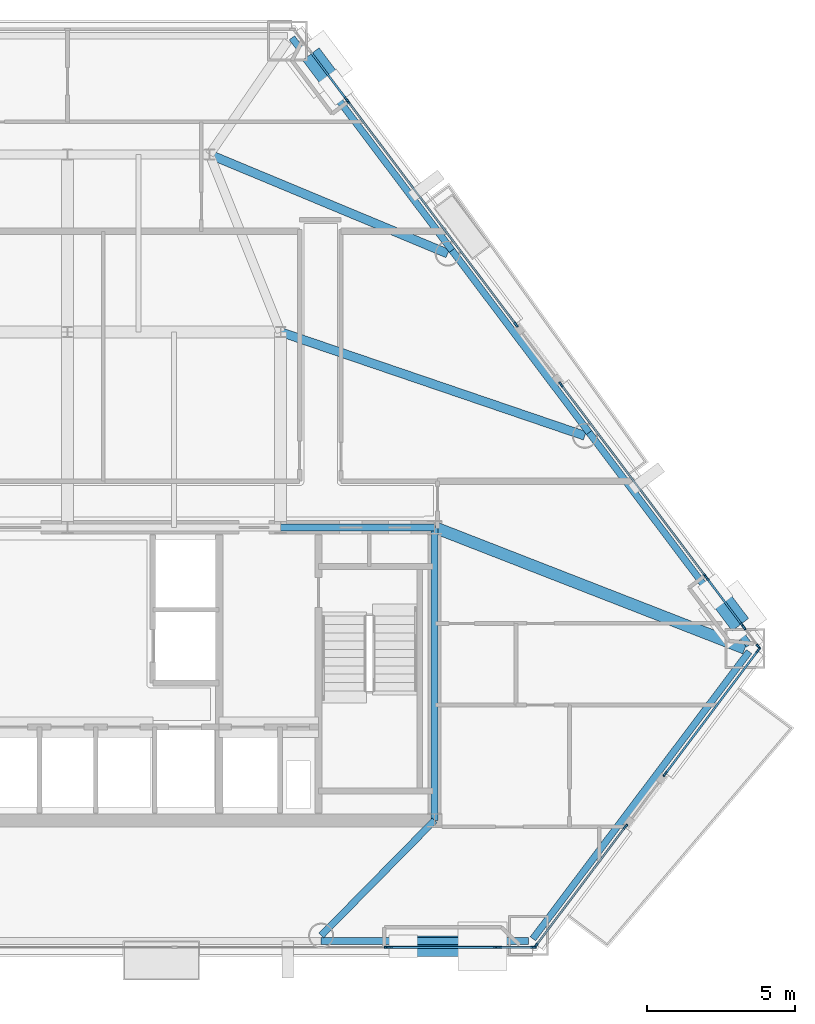
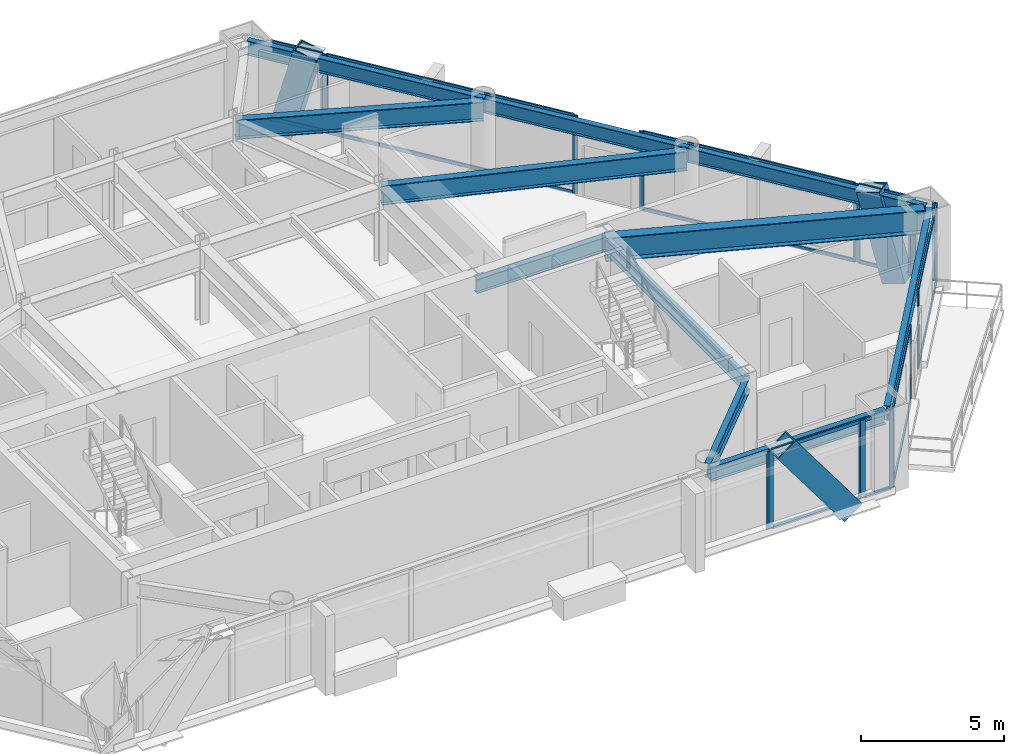
# One storey, part 4 of 14: 37 members, 11 beams, 10 elements without a shape of their own.
"""IFC4 building model written with IfcOpenShell, lengths in metres."""

from ifc_helpers import new_model, si_unit, direction, frame, origin, origin_2d, place, context, subcontext, project, spatial, rectangle, hollow_rectangle, i_section, extrude, material, layer, layer_set, material_profile, profile_set, type_object, element, aggregate, save


model = new_model("IFC4")

# Units and contexts
model_context = context("Model", 3, precision=1e-05, world=origin(), true_north=direction((0.0, 1.0)))
body_context = subcontext(model_context, "Body", "Model", "MODEL_VIEW")
ifc_project = project(units=[si_unit("LENGTHUNIT", "METRE"), si_unit("AREAUNIT", "SQUARE_METRE"), si_unit("VOLUMEUNIT", "CUBIC_METRE"), si_unit("PLANEANGLEUNIT", "RADIAN"), si_unit("MASSUNIT", "GRAM", prefix="KILO")], contexts=[model_context])

# Site, building, storey
site_placement = place(None, origin())
site = spatial("IfcSite", under=ifc_project, at=site_placement, CompositionType="ELEMENT")
building_placement = place(site_placement, origin())
building = spatial("IfcBuilding", under=site, at=building_placement, Name="Talgorran Terracotta Tower", CompositionType="ELEMENT")
storey_placement = place(building_placement, frame((0.0, 0.0, 56.699951171875)))
storey = spatial("IfcBuildingStorey", under=building, at=storey_placement, Name="L14", CompositionType="ELEMENT", Elevation=56.699951171875)

# Beams
ifc_material_1 = material(Name="Steel Grade 350 (350L0)", Category="steel")
ifc_material_profile_1 = material_profile(ifc_material_1, i_section(OverallWidth=0.39990234375, OverallDepth=1.0, WebThickness=0.01611328125, FlangeThickness=0.031005859375, at=origin_2d()), Name="1000WB296")
ifc_profile_set_1 = profile_set([ifc_material_profile_1], Name="Steel Grade 350 (350L0)")
beam_type_1 = type_object("IfcBeamType", Name="BM_1000WB296", PredefinedType="BEAM", material=ifc_profile_set_1)
beam_1_placement = place(storey_placement, frame((12.39990234375, -4.199951171875, 2.820068359375), z_axis=(0.931733259181, -0.363143406571, 0.0), x_axis=(0.363143406571, 0.931733259181, 0.0)))
element("IfcBeam", 1, at=beam_1_placement, inside=storey, type_object=beam_type_1, Name="L14 Floor Girder G18", PredefinedType="BEAM", context=body_context, shape_type="SweptSolid", body=[
    extrude(i_section(OverallWidth=0.39990234375, OverallDepth=1.0, WebThickness=0.01611328125, FlangeThickness=0.031005859375, at=origin_2d()), origin(), (0.0, 0.0, 1.0), 11.253662109375),
])
ifc_material_2 = material(Name="Steel S355 (300PLUS)", Category="steel")
ifc_material_profile_2 = material_profile(ifc_material_2, i_section(OverallWidth=0.300048828125, OverallDepth=0.81591796875, WebThickness=0.013916015625, FlangeThickness=0.028076171875, at=origin_2d()), Name="800WB192")
ifc_profile_set_2 = profile_set([ifc_material_profile_2], Name="Steel S355 (300PLUS)")
beam_type_2 = type_object("IfcBeamType", Name="BM_800WB192", PredefinedType="BEAM", material=ifc_profile_set_2)
beam_2_placement = place(storey_placement, frame((7.199951171875, 2.39990234375, 2.912109375), z_axis=(0.94650066869, -0.322701850274, 0.0), x_axis=(0.322701850274, 0.94650066869, 0.0)))
element("IfcBeam", 2, at=beam_2_placement, inside=storey, type_object=beam_type_2, Name="L14 Floor Girder G07", PredefinedType="BEAM", context=body_context, shape_type="SweptSolid", body=[
    extrude(i_section(OverallWidth=0.300048828125, OverallDepth=0.81591796875, WebThickness=0.013916015625, FlangeThickness=0.028076171875, at=origin_2d()), origin(), (0.0, 0.0, 1.0), 10.859619140625),
])
beam_3_placement = place(storey_placement, frame((4.800048828125, 8.39990234375, 2.912109375), z_axis=(0.923207843364, -0.384301025177, 0.0), x_axis=(0.384301025177, 0.923207843364, 0.0)))
element("IfcBeam", 3, at=beam_3_placement, inside=storey, type_object=beam_type_2, Name="L14 Floor Girder G14", PredefinedType="BEAM", context=body_context, shape_type="SweptSolid", body=[
    extrude(i_section(OverallWidth=0.300048828125, OverallDepth=0.81591796875, WebThickness=0.013916015625, FlangeThickness=0.028076171875, at=origin_2d()), origin(), (0.0, 0.0, 1.0), 8.713623046875),
])
ifc_material_profile_3 = material_profile(ifc_material_2, i_section(OverallWidth=0.22900390625, OverallDepth=0.611572265625, WebThickness=0.011962890625, FlangeThickness=0.01953125, at=origin_2d()), Name="610UB125")
ifc_profile_set_3 = profile_set([ifc_material_profile_3], Name="Steel S355 (300PLUS)")
beam_type_3 = type_object("IfcBeamType", Name="BM_SP_610UB125", PredefinedType="SPANDREL", material=ifc_profile_set_3)
beam_4_placement = place(storey_placement, frame((8.56884765625, -18.171142578125, 3.01416015625), z_axis=(1.0, 0.0, 0.0), x_axis=(0.0, 1.0, 0.0)))
element("IfcBeam", 4, at=beam_4_placement, inside=storey, type_object=beam_type_3, Name="L14 Perimeter Spandrel Beam FC2-MC3", PredefinedType="SPANDREL", context=body_context, shape_type="SweptSolid", body=[
    extrude(i_section(OverallWidth=0.22900390625, OverallDepth=0.611572265625, WebThickness=0.011962890625, FlangeThickness=0.01953125, at=origin_2d()), origin(), (0.0, 0.0, 1.0), 7.0107421875),
])
beam_5_placement = place(storey_placement, frame((15.723388671875, -18.099365234375, 3.01416015625), z_axis=(0.601442935973, 0.798915761997, 0.0), x_axis=(-0.798915761997, 0.601442935973, 0.0)))
element("IfcBeam", 5, at=beam_5_placement, inside=storey, type_object=beam_type_3, Name="L14 Perimeter Spandrel Beam MC3-MC4", PredefinedType="SPANDREL", context=body_context, shape_type="SweptSolid", body=[
    extrude(i_section(OverallWidth=0.22900390625, OverallDepth=0.611572265625, WebThickness=0.011962890625, FlangeThickness=0.01953125, at=origin_2d()), origin(), (0.0, 0.0, 1.0), 12.14697265625),
])
beam_6_placement = place(storey_placement, frame((23.029052734375, -8.17822265625, 3.01416015625), z_axis=(-0.601446008666, 0.798913448791, 0.0), x_axis=(-0.798913448791, -0.601446008666, 0.0)))
element("IfcBeam", 6, at=beam_6_placement, inside=storey, type_object=beam_type_3, Name="L14 Perimeter Spandrel Beam MC4-FC3", PredefinedType="SPANDREL", context=body_context, shape_type="SweptSolid", body=[
    extrude(i_section(OverallWidth=0.22900390625, OverallDepth=0.611572265625, WebThickness=0.011962890625, FlangeThickness=0.01953125, at=origin_2d()), origin(), (0.0, 0.0, 1.0), 8.989501953125),
])
beam_7_placement = place(storey_placement, frame((17.622314453125, -0.996337890625, 3.01416015625), z_axis=(-0.601413481794, 0.798937934959, 0.0), x_axis=(-0.798937934959, -0.601413481794, 0.0)))
element("IfcBeam", 7, at=beam_7_placement, inside=storey, type_object=beam_type_3, Name="L14 Perimeter Spandrel Beam FC3-FC4", PredefinedType="SPANDREL", context=body_context, shape_type="SweptSolid", body=[
    extrude(i_section(OverallWidth=0.22900390625, OverallDepth=0.611572265625, WebThickness=0.011962890625, FlangeThickness=0.01953125, at=origin_2d()), origin(), (0.0, 0.0, 1.0), 7.705322265625),
])
beam_8_placement = place(storey_placement, frame((12.98828125, 5.15966796875, 3.01416015625), z_axis=(-0.601446008666, 0.798913448791, 0.0), x_axis=(-0.798913448791, -0.601446008666, 0.0)))
element("IfcBeam", 8, at=beam_8_placement, inside=storey, type_object=beam_type_3, Name="L14 Perimeter Spandrel Beam FC4-MC5", PredefinedType="SPANDREL", context=body_context, shape_type="SweptSolid", body=[
    extrude(i_section(OverallWidth=0.22900390625, OverallDepth=0.611572265625, WebThickness=0.011962890625, FlangeThickness=0.01953125, at=origin_2d()), origin(), (0.0, 0.0, 1.0), 8.989501953125),
])
beam_9_placement = place(storey_placement, frame((12.39990234375, -14.10009765625, 3.01416015625), z_axis=(-0.701586091596, -0.712584700985, 0.0), x_axis=(0.712584700985, -0.701586091596, 0.0)))
element("IfcBeam", 9, at=beam_9_placement, inside=storey, type_object=beam_type_3, Name="L14 South-East Core Tie Beam", PredefinedType="SPANDREL", context=body_context, shape_type="SweptSolid", body=[
    extrude(i_section(OverallWidth=0.22900390625, OverallDepth=0.611572265625, WebThickness=0.011962890625, FlangeThickness=0.01953125, at=origin_2d()), origin(), (0.0, 0.0, 1.0), 5.46044921875),
])
beam_10_placement = place(storey_placement, frame((12.39990234375, -14.10009765625, 3.01416015625), z_axis=(0.0, 1.0, 0.0), x_axis=(-1.0, 0.0, 0.0)))
element("IfcBeam", 10, at=beam_10_placement, inside=storey, type_object=beam_type_3, Name="L14 Core Frame Beam CFE", PredefinedType="SPANDREL", context=body_context, shape_type="SweptSolid", body=[
    extrude(i_section(OverallWidth=0.22900390625, OverallDepth=0.611572265625, WebThickness=0.011962890625, FlangeThickness=0.01953125, at=origin_2d()), origin(), (0.0, 0.0, 1.0), 9.900146484375),
])
beam_11_placement = place(storey_placement, frame((7.199951171875, -4.199951171875, 3.01416015625), z_axis=(1.0, 0.0, 0.0), x_axis=(0.0, 1.0, 0.0)))
element("IfcBeam", 11, at=beam_11_placement, inside=storey, type_object=beam_type_3, Name="L14 Core Frame Beam CFN4", PredefinedType="SPANDREL", context=body_context, shape_type="SweptSolid", body=[
    extrude(i_section(OverallWidth=0.22900390625, OverallDepth=0.611572265625, WebThickness=0.011962890625, FlangeThickness=0.01953125, at=origin_2d()), origin(), (0.0, 0.0, 1.0), 5.199951171875),
])

# Members
ifc_material_profile_4 = material_profile(ifc_material_1, hollow_rectangle(XDim=0.699951171875, YDim=0.89990234375, WallThickness=0.050048828125, at=origin_2d()), Name="WBOX900X700X50")
ifc_profile_set_4 = profile_set([ifc_material_profile_4], Name="Steel Grade 350 (350L0)")
member_type_1 = type_object("IfcMemberType", Name="MB_MEGA_900", PredefinedType="BRACE", material=ifc_profile_set_4)
member_1_placement = place(storey_placement, frame((14.025634765625, -18.35107421875, -0.27001953125), z_axis=(-0.595397527069, 0.0, 0.803431257022), x_axis=(0.0, -1.0, 0.0)))
element("IfcMember", 12, at=member_1_placement, inside=storey, type_object=member_type_1, Name="L14 Exterior Face Mega-Brace MB-1 (SEF)", PredefinedType="BRACE", context=body_context, shape_type="SweptSolid", body=[
    extrude(hollow_rectangle(XDim=0.699951171875, YDim=0.89990234375, WallThickness=0.050048828125, at=origin_2d()), origin(), (0.0, 0.0, 1.0), 4.49951171875),
])
for number, where, z_axis, x_axis, name in (
    (13, (22.471435546875, -7.13818359375, -0.27001953125), (-0.155404916961, 0.206488901, 0.966028801614), (-0.79899919389, -0.601332094738, 0.0), "L14 Exterior Face Mega-Brace MB-1 (NEL)"),
    (14, (8.481689453125, 11.44482421875, -0.27001953125), (0.15547067581, -0.206424346732, 0.966032017088), (0.798786555616, 0.601614526559, 0.0), "L14 Exterior Face Mega-Brace MB-1 (NEU)"),
):
    element("IfcMember", number, at=place(storey_placement, frame(where, z_axis=z_axis, x_axis=x_axis)), inside=storey, type_object=member_type_1, Name=name, PredefinedType="BRACE", context=body_context, shape_type="SweptSolid", body=[
        extrude(hollow_rectangle(XDim=0.699951171875, YDim=0.89990234375, WallThickness=0.050048828125, at=origin_2d()), origin(), (0.0, 0.0, 1.0), 3.7421875),
    ])

# Curtain wall, member
ifc_material_3 = material(Name="Unitised Low-E Double Glazing", Category="glass")
ifc_layer = layer(ifc_material_3, 0.199951171875, Name="CW_SYS2_RES_LOW")
ifc_layer_set = layer_set([ifc_layer], Name="Unitised Low-E Double Glazing")
curtain_wall_type = type_object("IfcCurtainWallType", Name="CW_SYS2_RES_LOW", PredefinedType="NOTDEFINED", material=ifc_layer_set)
curtain_wall_1_placement = place(storey_placement, origin())
curtain_wall_1 = element("IfcCurtainWall", 15, at=curtain_wall_1_placement, inside=storey, type_object=curtain_wall_type, Name="CW-L14-F1C", PredefinedType="NOTDEFINED")
ifc_material_4 = material(Name="Architectural Aluminium 6063-T6", Category="aluminium")
ifc_material_profile_5 = material_profile(ifc_material_4, rectangle(XDim=0.06494140625, YDim=0.18505859375, at=origin_2d()), Name="CWM65X185")
ifc_profile_set_5 = profile_set([ifc_material_profile_5], Name="Architectural Aluminium 6063-T6")
member_type_2 = type_object("IfcMemberType", Name="MUL_65X185", PredefinedType="MULLION", material=ifc_profile_set_5)
member_2_placement = place(storey_placement, frame((10.797607421875, -18.39111328125, 0.0), z_axis=(0.0, 0.0, 1.0), x_axis=(0.0, 1.0, 0.0)))
member_2 = element("IfcMember", 16, at=member_2_placement, type_object=member_type_2, Name="CW-L14-1C mullion 4", PredefinedType="MULLION", context=body_context, shape_type="SweptSolid", body=[
    extrude(rectangle(XDim=0.06494140625, YDim=0.18505859375, at=origin_2d()), origin(), (0.0, 0.0, 1.0), 3.320068359375),
])
aggregate(curtain_wall_1, [member_2])

# Curtain wall, members
curtain_wall_2_placement = place(storey_placement, origin())
curtain_wall_2 = element("IfcCurtainWall", 17, at=curtain_wall_2_placement, inside=storey, type_object=curtain_wall_type, Name="CW-L14-F1D", PredefinedType="NOTDEFINED")
member_3_placement = place(storey_placement, frame((10.87255859375, -18.39111328125, 0.0), z_axis=(0.0, 0.0, 1.0), x_axis=(0.0, 1.0, 0.0)))
member_3 = element("IfcMember", 18, at=member_3_placement, type_object=member_type_2, Name="CW-L14-1D mullion 1", PredefinedType="MULLION", context=body_context, shape_type="SweptSolid", body=[
    extrude(rectangle(XDim=0.06494140625, YDim=0.18505859375, at=origin_2d()), origin(), (0.0, 0.0, 1.0), 3.320068359375),
])
member_4_placement = place(storey_placement, frame((14.498291015625, -18.39111328125, 0.0), z_axis=(0.0, 0.0, 1.0), x_axis=(0.0, 1.0, 0.0)))
member_4 = element("IfcMember", 19, at=member_4_placement, type_object=member_type_2, Name="CW-L14-1D mullion 2", PredefinedType="MULLION", context=body_context, shape_type="SweptSolid", body=[
    extrude(rectangle(XDim=0.06494140625, YDim=0.18505859375, at=origin_2d()), origin(), (0.0, 0.0, 1.0), 3.320068359375),
])

curtain_wall_3_placement = place(storey_placement, origin())
curtain_wall_3 = element("IfcCurtainWall", 20, at=curtain_wall_3_placement, inside=storey, type_object=curtain_wall_type, Name="CW-L14-F1E", PredefinedType="NOTDEFINED")
member_5_placement = place(storey_placement, frame((14.5732421875, -18.39111328125, 0.0), z_axis=(0.0, 0.0, 1.0), x_axis=(0.0, 1.0, 0.0)))
member_5 = element("IfcMember", 21, at=member_5_placement, type_object=member_type_2, Name="CW-L14-1E mullion 1", PredefinedType="MULLION", context=body_context, shape_type="SweptSolid", body=[
    extrude(rectangle(XDim=0.06494140625, YDim=0.18505859375, at=origin_2d()), origin(), (0.0, 0.0, 1.0), 3.320068359375),
])
member_6_placement = place(storey_placement, frame((15.74658203125, -18.39111328125, 0.0), z_axis=(0.0, 0.0, 1.0), x_axis=(0.0, 1.0, 0.0)))
member_6 = element("IfcMember", 22, at=member_6_placement, type_object=member_type_2, Name="CW-L14-1E mullion 2", PredefinedType="MULLION", context=body_context, shape_type="SweptSolid", body=[
    extrude(rectangle(XDim=0.06494140625, YDim=0.18505859375, at=origin_2d()), origin(), (0.0, 0.0, 1.0), 3.320068359375),
])

curtain_wall_4_placement = place(storey_placement, origin())
curtain_wall_4 = element("IfcCurtainWall", 23, at=curtain_wall_4_placement, inside=storey, type_object=curtain_wall_type, Name="CW-L14-F30", PredefinedType="NOTDEFINED")
member_7_placement = place(storey_placement, frame((15.82275390625, -18.333251953125, 0.0), z_axis=(0.0, 0.0, 1.0), x_axis=(-0.798916538598, 0.601441904389, 0.0)))
member_7 = element("IfcMember", 24, at=member_7_placement, type_object=member_type_2, Name="CW-L14-30 mullion 1", PredefinedType="MULLION", context=body_context, shape_type="SweptSolid", body=[
    extrude(rectangle(XDim=0.06494140625, YDim=0.18505859375, at=origin_2d()), origin(), (0.0, 0.0, 1.0), 3.320068359375),
])
member_8_placement = place(storey_placement, frame((18.8515625, -14.309814453125, 0.0), z_axis=(0.0, 0.0, 1.0), x_axis=(-0.798916538598, 0.601441904389, 0.0)))
member_8 = element("IfcMember", 25, at=member_8_placement, type_object=member_type_2, Name="CW-L14-30 mullion 2", PredefinedType="MULLION", context=body_context, shape_type="SweptSolid", body=[
    extrude(rectangle(XDim=0.06494140625, YDim=0.18505859375, at=origin_2d()), origin(), (0.0, 0.0, 1.0), 3.320068359375),
])

curtain_wall_5_placement = place(storey_placement, origin())
curtain_wall_5 = element("IfcCurtainWall", 26, at=curtain_wall_5_placement, inside=storey, type_object=curtain_wall_type, Name="CW-L14-F31", PredefinedType="NOTDEFINED")
member_9_placement = place(storey_placement, frame((20.189697265625, -12.5322265625, 0.0), z_axis=(0.0, 0.0, 1.0), x_axis=(-0.798913272421, 0.601446242942, 0.0)))
member_9 = element("IfcMember", 27, at=member_9_placement, type_object=member_type_2, Name="CW-L14-31 mullion 1", PredefinedType="MULLION", context=body_context, shape_type="SweptSolid", body=[
    extrude(rectangle(XDim=0.06494140625, YDim=0.18505859375, at=origin_2d()), origin(), (0.0, 0.0, 1.0), 3.320068359375),
])
member_10_placement = place(storey_placement, frame((23.34228515625, -8.344482421875, 0.0), z_axis=(0.0, 0.0, 1.0), x_axis=(-0.798913272421, 0.601446242942, 0.0)))
member_10 = element("IfcMember", 28, at=member_10_placement, type_object=member_type_2, Name="CW-L14-31 mullion 2", PredefinedType="MULLION", context=body_context, shape_type="SweptSolid", body=[
    extrude(rectangle(XDim=0.06494140625, YDim=0.18505859375, at=origin_2d()), origin(), (0.0, 0.0, 1.0), 3.320068359375),
])

curtain_wall_6_placement = place(storey_placement, origin())
curtain_wall_6 = element("IfcCurtainWall", 29, at=curtain_wall_6_placement, inside=storey, type_object=curtain_wall_type, Name="CW-L14-F40", PredefinedType="NOTDEFINED")
member_11_placement = place(storey_placement, frame((23.34228515625, -8.228515625, 0.0), z_axis=(0.0, 0.0, 1.0), x_axis=(-0.798933798225, -0.601418977131, 0.0)))
member_11 = element("IfcMember", 30, at=member_11_placement, type_object=member_type_2, Name="CW-L14-40 mullion 1", PredefinedType="MULLION", context=body_context, shape_type="SweptSolid", body=[
    extrude(rectangle(XDim=0.06494140625, YDim=0.18505859375, at=origin_2d()), origin(), (0.0, 0.0, 1.0), 3.320068359375),
])
member_12_placement = place(storey_placement, frame((22.852783203125, -7.578369140625, 0.0), z_axis=(0.0, 0.0, 1.0), x_axis=(-0.798933798225, -0.601418977131, 0.0)))
member_12 = element("IfcMember", 31, at=member_12_placement, type_object=member_type_2, Name="CW-L14-40 mullion 2", PredefinedType="MULLION", context=body_context, shape_type="SweptSolid", body=[
    extrude(rectangle(XDim=0.06494140625, YDim=0.18505859375, at=origin_2d()), origin(), (0.0, 0.0, 1.0), 3.320068359375),
])
aggregate(curtain_wall_6, [member_11, member_12])

curtain_wall_7_placement = place(storey_placement, origin())
curtain_wall_7 = element("IfcCurtainWall", 32, at=curtain_wall_7_placement, inside=storey, type_object=curtain_wall_type, Name="CW-L14-F40B", PredefinedType="NOTDEFINED")
member_13_placement = place(storey_placement, frame((22.807861328125, -7.5185546875, 0.0), z_axis=(0.0, 0.0, 1.0), x_axis=(-0.798916852976, -0.601441486788, 0.0)))
member_13 = element("IfcMember", 33, at=member_13_placement, type_object=member_type_2, Name="CW-L14-40B mullion 1", PredefinedType="MULLION", context=body_context, shape_type="SweptSolid", body=[
    extrude(rectangle(XDim=0.06494140625, YDim=0.18505859375, at=origin_2d()), origin(), (0.0, 0.0, 1.0), 3.320068359375),
])
member_14_placement = place(storey_placement, frame((21.592529296875, -5.904296875, 0.0), z_axis=(0.0, 0.0, 1.0), x_axis=(-0.798916852976, -0.601441486788, 0.0)))
member_14 = element("IfcMember", 34, at=member_14_placement, type_object=member_type_2, Name="CW-L14-40B mullion 2", PredefinedType="MULLION", context=body_context, shape_type="SweptSolid", body=[
    extrude(rectangle(XDim=0.06494140625, YDim=0.18505859375, at=origin_2d()), origin(), (0.0, 0.0, 1.0), 3.320068359375),
])

curtain_wall_8_placement = place(storey_placement, origin())
curtain_wall_8 = element("IfcCurtainWall", 35, at=curtain_wall_8_placement, inside=storey, type_object=curtain_wall_type, Name="CW-L14-F40C", PredefinedType="NOTDEFINED")
member_15_placement = place(storey_placement, frame((21.547607421875, -5.844482421875, 0.0), z_axis=(0.0, 0.0, 1.0), x_axis=(-0.798914906037, -0.601444072971, 0.0)))
member_15 = element("IfcMember", 36, at=member_15_placement, type_object=member_type_2, Name="CW-L14-40C mullion 1", PredefinedType="MULLION", context=body_context, shape_type="SweptSolid", body=[
    extrude(rectangle(XDim=0.06494140625, YDim=0.18505859375, at=origin_2d()), origin(), (0.0, 0.0, 1.0), 3.320068359375),
])
member_16_placement = place(storey_placement, frame((16.672119140625, 0.6318359375, 0.0), z_axis=(0.0, 0.0, 1.0), x_axis=(-0.798914906037, -0.601444072971, 0.0)))
member_16 = element("IfcMember", 37, at=member_16_placement, type_object=member_type_2, Name="CW-L14-40C mullion 2", PredefinedType="MULLION", context=body_context, shape_type="SweptSolid", body=[
    extrude(rectangle(XDim=0.06494140625, YDim=0.18505859375, at=origin_2d()), origin(), (0.0, 0.0, 1.0), 3.320068359375),
])

curtain_wall_9_placement = place(storey_placement, origin())
curtain_wall_9 = element("IfcCurtainWall", 38, at=curtain_wall_9_placement, inside=storey, type_object=curtain_wall_type, Name="CW-L14-F41", PredefinedType="NOTDEFINED")
member_17_placement = place(storey_placement, frame((15.153564453125, 2.649169921875, 0.0), z_axis=(0.0, 0.0, 1.0), x_axis=(-0.798917938683, -0.601440044601, 0.0)))
member_17 = element("IfcMember", 39, at=member_17_placement, type_object=member_type_2, Name="CW-L14-41 mullion 1", PredefinedType="MULLION", context=body_context, shape_type="SweptSolid", body=[
    extrude(rectangle(XDim=0.06494140625, YDim=0.18505859375, at=origin_2d()), origin(), (0.0, 0.0, 1.0), 3.320068359375),
])
member_18_placement = place(storey_placement, frame((9.469482421875, 10.19921875, 0.0), z_axis=(0.0, 0.0, 1.0), x_axis=(-0.798917938683, -0.601440044601, 0.0)))
member_18 = element("IfcMember", 40, at=member_18_placement, type_object=member_type_2, Name="CW-L14-41 mullion 2", PredefinedType="MULLION", context=body_context, shape_type="SweptSolid", body=[
    extrude(rectangle(XDim=0.06494140625, YDim=0.18505859375, at=origin_2d()), origin(), (0.0, 0.0, 1.0), 3.320068359375),
])

# Curtain wall, member
curtain_wall_10_placement = place(storey_placement, origin())
curtain_wall_10 = element("IfcCurtainWall", 41, at=curtain_wall_10_placement, inside=storey, type_object=curtain_wall_type, Name="CW-L14-F41B", PredefinedType="NOTDEFINED")
member_19_placement = place(storey_placement, frame((9.424560546875, 10.25927734375, 0.0), z_axis=(0.0, 0.0, 1.0), x_axis=(-0.798916852976, -0.601441486788, 0.0)))
member_19 = element("IfcMember", 42, at=member_19_placement, type_object=member_type_2, Name="CW-L14-41B mullion 1", PredefinedType="MULLION", context=body_context, shape_type="SweptSolid", body=[
    extrude(rectangle(XDim=0.06494140625, YDim=0.18505859375, at=origin_2d()), origin(), (0.0, 0.0, 1.0), 3.320068359375),
])

# Member
ifc_material_profile_6 = material_profile(ifc_material_4, rectangle(XDim=0.06494140625, YDim=0.14990234375, at=origin_2d()), Name="CWT65X150")
ifc_profile_set_6 = profile_set([ifc_material_profile_6], Name="Architectural Aluminium 6063-T6")
member_type_3 = type_object("IfcMemberType", Name="TRN_65X150", PredefinedType="USERDEFINED", material=ifc_profile_set_6)
member_20_placement = place(storey_placement, frame((10.905029296875, -18.39111328125, 0.032470703125), z_axis=(1.0, 0.0, 0.0), x_axis=(0.0, 1.0, 0.0)))
member_20 = element("IfcMember", 43, at=member_20_placement, type_object=member_type_3, Name="CW-L14-1D transom 1.1", ObjectType="TRANSOM", PredefinedType="USERDEFINED", context=body_context, shape_type="SweptSolid", body=[
    extrude(rectangle(XDim=0.06494140625, YDim=0.14990234375, at=origin_2d()), origin(), (0.0, 0.0, 1.0), 3.560791015625),
])

member_21_placement = place(storey_placement, frame((10.905029296875, -18.39111328125, 3.28759765625), z_axis=(1.0, 0.0, 0.0), x_axis=(0.0, 1.0, 0.0)))
member_21 = element("IfcMember", 44, at=member_21_placement, type_object=member_type_3, Name="CW-L14-1D transom 1.2", ObjectType="TRANSOM", PredefinedType="USERDEFINED", context=body_context, shape_type="SweptSolid", body=[
    extrude(rectangle(XDim=0.06494140625, YDim=0.14990234375, at=origin_2d()), origin(), (0.0, 0.0, 1.0), 3.560791015625),
])

aggregate(curtain_wall_2, [member_3, member_4, member_20, member_21])

member_22_placement = place(storey_placement, frame((14.605712890625, -18.39111328125, 0.032470703125), z_axis=(1.0, 0.0, 0.0), x_axis=(0.0, 1.0, 0.0)))
member_22 = element("IfcMember", 45, at=member_22_placement, type_object=member_type_3, Name="CW-L14-1E transom 1.1", ObjectType="TRANSOM", PredefinedType="USERDEFINED", context=body_context, shape_type="SweptSolid", body=[
    extrude(rectangle(XDim=0.06494140625, YDim=0.14990234375, at=origin_2d()), origin(), (0.0, 0.0, 1.0), 1.1083984375),
])

member_23_placement = place(storey_placement, frame((14.605712890625, -18.39111328125, 3.28759765625), z_axis=(1.0, 0.0, 0.0), x_axis=(0.0, 1.0, 0.0)))
member_23 = element("IfcMember", 46, at=member_23_placement, type_object=member_type_3, Name="CW-L14-1E transom 1.2", ObjectType="TRANSOM", PredefinedType="USERDEFINED", context=body_context, shape_type="SweptSolid", body=[
    extrude(rectangle(XDim=0.06494140625, YDim=0.14990234375, at=origin_2d()), origin(), (0.0, 0.0, 1.0), 1.1083984375),
])

aggregate(curtain_wall_3, [member_5, member_6, member_22, member_23])

member_24_placement = place(storey_placement, frame((15.84228515625, -18.30712890625, 0.032470703125), z_axis=(0.601460656972, 0.798902420897, 0.0), x_axis=(-0.798902420897, 0.601460656972, 0.0)))
member_24 = element("IfcMember", 47, at=member_24_placement, type_object=member_type_3, Name="CW-L14-30 transom 1.1", ObjectType="TRANSOM", PredefinedType="USERDEFINED", context=body_context, shape_type="SweptSolid", body=[
    extrude(rectangle(XDim=0.06494140625, YDim=0.14990234375, at=origin_2d()), origin(), (0.0, 0.0, 1.0), 4.970703125),
])

member_25_placement = place(storey_placement, frame((15.84228515625, -18.30712890625, 3.28759765625), z_axis=(0.601460656972, 0.798902420897, 0.0), x_axis=(-0.798902420897, 0.601460656972, 0.0)))
member_25 = element("IfcMember", 48, at=member_25_placement, type_object=member_type_3, Name="CW-L14-30 transom 1.2", ObjectType="TRANSOM", PredefinedType="USERDEFINED", context=body_context, shape_type="SweptSolid", body=[
    extrude(rectangle(XDim=0.06494140625, YDim=0.14990234375, at=origin_2d()), origin(), (0.0, 0.0, 1.0), 4.970703125),
])

aggregate(curtain_wall_4, [member_7, member_8, member_24, member_25])

member_26_placement = place(storey_placement, frame((20.209228515625, -12.50634765625, 0.032470703125), z_axis=(0.601447810628, 0.798912092217, 0.0), x_axis=(-0.798912092217, 0.601447810628, 0.0)))
member_26 = element("IfcMember", 49, at=member_26_placement, type_object=member_type_3, Name="CW-L14-31 transom 1.1", ObjectType="TRANSOM", PredefinedType="USERDEFINED", context=body_context, shape_type="SweptSolid", body=[
    extrude(rectangle(XDim=0.06494140625, YDim=0.14990234375, at=origin_2d()), origin(), (0.0, 0.0, 1.0), 5.1767578125),
])

member_27_placement = place(storey_placement, frame((20.209228515625, -12.50634765625, 3.28759765625), z_axis=(0.601447810628, 0.798912092217, 0.0), x_axis=(-0.798912092217, 0.601447810628, 0.0)))
member_27 = element("IfcMember", 50, at=member_27_placement, type_object=member_type_3, Name="CW-L14-31 transom 1.2", ObjectType="TRANSOM", PredefinedType="USERDEFINED", context=body_context, shape_type="SweptSolid", body=[
    extrude(rectangle(XDim=0.06494140625, YDim=0.14990234375, at=origin_2d()), origin(), (0.0, 0.0, 1.0), 5.1767578125),
])

aggregate(curtain_wall_5, [member_9, member_10, member_26, member_27])

member_28_placement = place(storey_placement, frame((22.7880859375, -7.492431640625, 0.032470703125), z_axis=(-0.601397682348, 0.798949828003, 0.0), x_axis=(-0.798949828003, -0.601397682348, 0.0)))
member_28 = element("IfcMember", 51, at=member_28_placement, type_object=member_type_3, Name="CW-L14-40B transom 1.1", ObjectType="TRANSOM", PredefinedType="USERDEFINED", context=body_context, shape_type="SweptSolid", body=[
    extrude(rectangle(XDim=0.06494140625, YDim=0.14990234375, at=origin_2d()), origin(), (0.0, 0.0, 1.0), 1.955078125),
])

member_29_placement = place(storey_placement, frame((22.7880859375, -7.492431640625, 3.28759765625), z_axis=(-0.601397682348, 0.798949828003, 0.0), x_axis=(-0.798949828003, -0.601397682348, 0.0)))
member_29 = element("IfcMember", 52, at=member_29_placement, type_object=member_type_3, Name="CW-L14-40B transom 1.2", ObjectType="TRANSOM", PredefinedType="USERDEFINED", context=body_context, shape_type="SweptSolid", body=[
    extrude(rectangle(XDim=0.06494140625, YDim=0.14990234375, at=origin_2d()), origin(), (0.0, 0.0, 1.0), 1.955078125),
])

aggregate(curtain_wall_7, [member_13, member_14, member_28, member_29])

member_30_placement = place(storey_placement, frame((21.528076171875, -5.818359375, 0.032470703125), z_axis=(-0.601446618659, 0.79891298957, 0.0), x_axis=(-0.79891298957, -0.601446618659, 0.0)))
member_30 = element("IfcMember", 53, at=member_30_placement, type_object=member_type_3, Name="CW-L14-40C transom 1.1", ObjectType="TRANSOM", PredefinedType="USERDEFINED", context=body_context, shape_type="SweptSolid", body=[
    extrude(rectangle(XDim=0.06494140625, YDim=0.14990234375, at=origin_2d()), origin(), (0.0, 0.0, 1.0), 8.041259765625),
])

member_31_placement = place(storey_placement, frame((21.528076171875, -5.818359375, 3.28759765625), z_axis=(-0.601446618659, 0.79891298957, 0.0), x_axis=(-0.79891298957, -0.601446618659, 0.0)))
member_31 = element("IfcMember", 54, at=member_31_placement, type_object=member_type_3, Name="CW-L14-40C transom 1.2", ObjectType="TRANSOM", PredefinedType="USERDEFINED", context=body_context, shape_type="SweptSolid", body=[
    extrude(rectangle(XDim=0.06494140625, YDim=0.14990234375, at=origin_2d()), origin(), (0.0, 0.0, 1.0), 8.041259765625),
])

aggregate(curtain_wall_8, [member_15, member_16, member_30, member_31])

member_32_placement = place(storey_placement, frame((15.1337890625, 2.675048828125, 0.032470703125), z_axis=(-0.601434923327, 0.798921794046, 0.0), x_axis=(-0.798921794046, -0.601434923327, 0.0)))
member_32 = element("IfcMember", 55, at=member_32_placement, type_object=member_type_3, Name="CW-L14-41 transom 1.1", ObjectType="TRANSOM", PredefinedType="USERDEFINED", context=body_context, shape_type="SweptSolid", body=[
    extrude(rectangle(XDim=0.06494140625, YDim=0.14990234375, at=origin_2d()), origin(), (0.0, 0.0, 1.0), 9.385498046875),
])

member_33_placement = place(storey_placement, frame((15.1337890625, 2.675048828125, 3.28759765625), z_axis=(-0.601434923327, 0.798921794046, 0.0), x_axis=(-0.798921794046, -0.601434923327, 0.0)))
member_33 = element("IfcMember", 56, at=member_33_placement, type_object=member_type_3, Name="CW-L14-41 transom 1.2", ObjectType="TRANSOM", PredefinedType="USERDEFINED", context=body_context, shape_type="SweptSolid", body=[
    extrude(rectangle(XDim=0.06494140625, YDim=0.14990234375, at=origin_2d()), origin(), (0.0, 0.0, 1.0), 9.385498046875),
])

aggregate(curtain_wall_9, [member_17, member_18, member_32, member_33])

member_34_placement = place(storey_placement, frame((9.40478515625, 10.28515625, 0.032470703125), z_axis=(-0.601397682348, 0.798949828003, 0.0), x_axis=(-0.798949828003, -0.601397682348, 0.0)))
member_34 = element("IfcMember", 57, at=member_34_placement, type_object=member_type_3, Name="CW-L14-41B transom 1.1", ObjectType="TRANSOM", PredefinedType="USERDEFINED", context=body_context, shape_type="SweptSolid", body=[
    extrude(rectangle(XDim=0.06494140625, YDim=0.14990234375, at=origin_2d()), origin(), (0.0, 0.0, 1.0), 1.955078125),
])

member_35_placement = place(storey_placement, frame((9.40478515625, 10.28515625, 3.28759765625), z_axis=(-0.601397682348, 0.798949828003, 0.0), x_axis=(-0.798949828003, -0.601397682348, 0.0)))
member_35 = element("IfcMember", 58, at=member_35_placement, type_object=member_type_3, Name="CW-L14-41B transom 1.2", ObjectType="TRANSOM", PredefinedType="USERDEFINED", context=body_context, shape_type="SweptSolid", body=[
    extrude(rectangle(XDim=0.06494140625, YDim=0.14990234375, at=origin_2d()), origin(), (0.0, 0.0, 1.0), 1.955078125),
])

aggregate(curtain_wall_10, [member_19, member_34, member_35])

save(model, "model.ifc")
